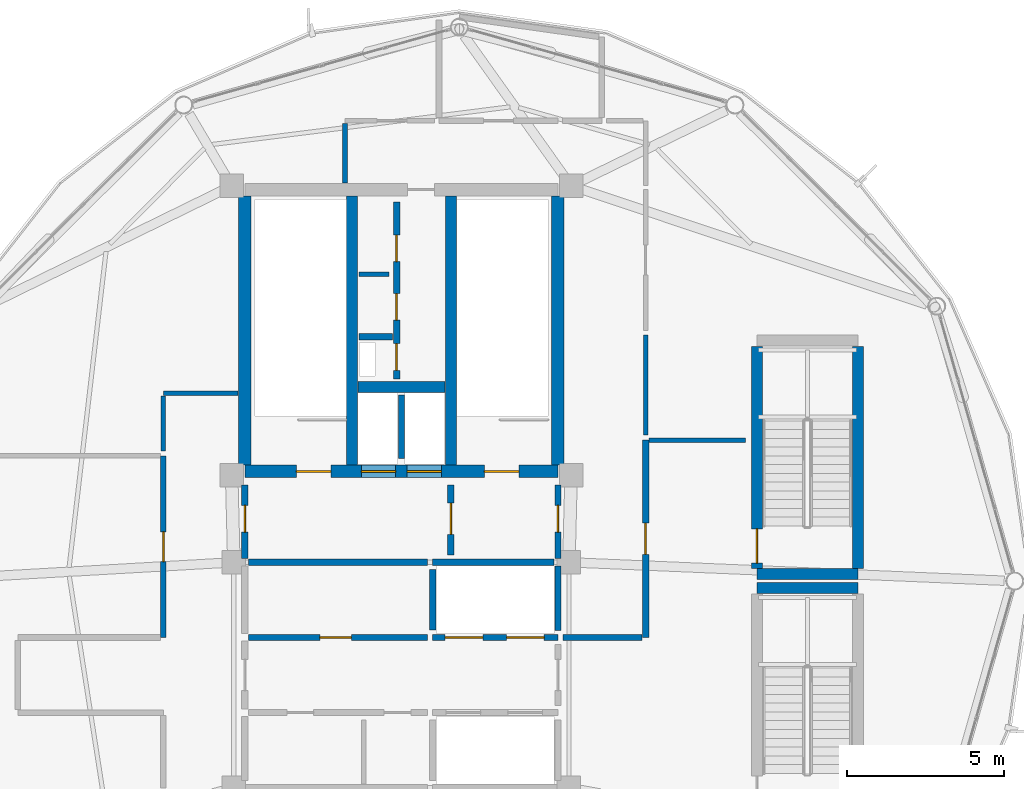
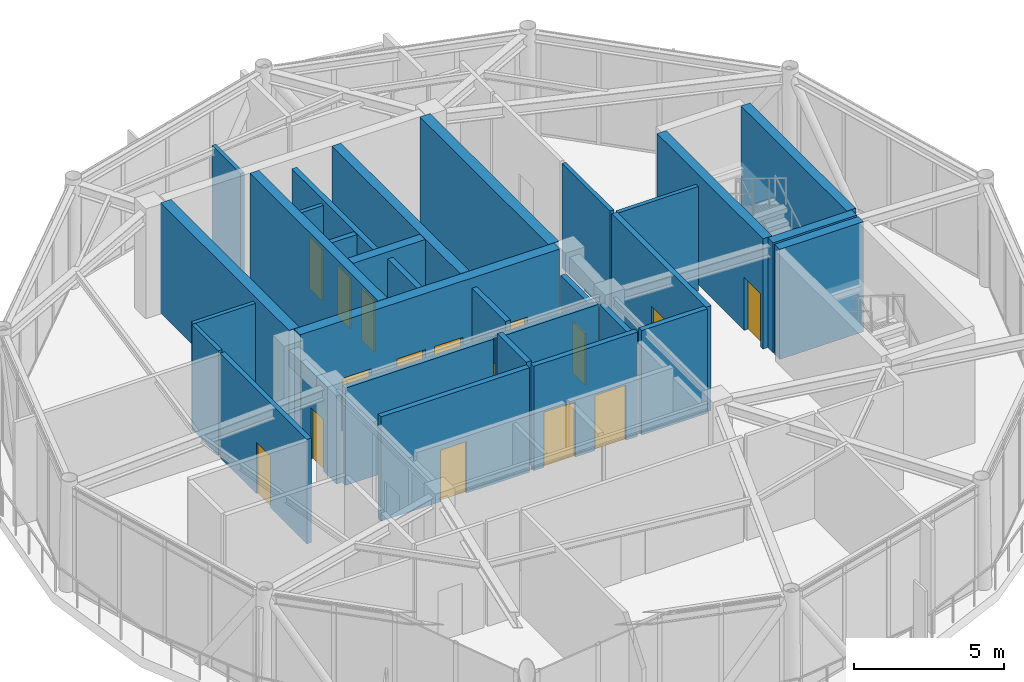
# One storey, part 22 of 26: 31 walls, 16 doors, 16 openings.
"""IFC4 building model written with IfcOpenShell, lengths in metres."""

from ifc_helpers import new_model, si_unit, direction, frame, frame_2d, origin, place, context, subcontext, project, spatial, rectangle, extrude, material, layer, layer_set, type_object, element, fill, save


model = new_model("IFC4")

# Units and contexts
model_context = context("Model", 3, precision=1e-05, world=origin(), true_north=direction((0.0, 1.0)))
body_context = subcontext(model_context, "Body", "Model", "MODEL_VIEW")
ifc_project = project(units=[si_unit("LENGTHUNIT", "METRE"), si_unit("AREAUNIT", "SQUARE_METRE"), si_unit("VOLUMEUNIT", "CUBIC_METRE"), si_unit("PLANEANGLEUNIT", "RADIAN"), si_unit("MASSUNIT", "GRAM", prefix="KILO")], contexts=[model_context])

# Site, building, storey
site_placement = place(None, origin())
site = spatial("IfcSite", under=ifc_project, at=site_placement, CompositionType="ELEMENT")
building_placement = place(site_placement, origin())
building = spatial("IfcBuilding", under=site, at=building_placement, Name="Varnakorn Sky Granary", CompositionType="ELEMENT")
storey_placement = place(building_placement, frame((0.0, 0.0, 289.5)))
storey = spatial("IfcBuildingStorey", under=building, at=storey_placement, Name="L74", CompositionType="ELEMENT", Elevation=289.5)

# Wall
ifc_material_1 = material(Name="Concrete C50/60", Category="concrete")
ifc_layer_1 = layer(ifc_material_1, 0.35009765625, Name="Concrete C50/60")
ifc_layer_set_1 = layer_set([ifc_layer_1], Name="Concrete C50/60")
wall_type_1 = type_object("IfcWallType", Name="WT-CW-INT-350", PredefinedType="SHEAR", material=ifc_layer_set_1)
wall_1_placement = place(storey_placement, frame((14.35009765625, 0.219970703125, 0.0), z_axis=(0.0, 0.0, 1.0), x_axis=(1.0, 0.0, 0.0)))
element("IfcWall", 1, at=wall_1_placement, inside=storey, type_object=wall_type_1, Name="Crown Stair STC1 South Wall L74", PredefinedType="SHEAR", context=body_context, shape_type="SweptSolid", body=[
    extrude(rectangle(XDim=3.22998046875, YDim=0.35009765625, at=frame_2d((1.614990234375, 0.0))), origin(), (0.0, 0.0, 1.0), 4.491943359375),
])

# Wall, opening, door
wall_2_placement = place(storey_placement, frame((14.35009765625, 0.409912109375, 0.0), z_axis=(0.0, 0.0, 1.0), x_axis=(0.0, 1.0, 0.0)))
wall_2 = element("IfcWall", 2, at=wall_2_placement, inside=storey, type_object=wall_type_1, Name="Crown Stair STC1 West Wall L74", PredefinedType="SHEAR", context=body_context, shape_type="SweptSolid", body=[
    extrude(rectangle(XDim=7.080078125, YDim=0.35009765625, at=frame_2d((3.5400390625, 0.0))), origin(), (0.0, 0.0, 1.0), 4.491943359375),
])
opening_1_placement = place(wall_2_placement, frame((0.159912109375, 0.0, 0.0)))
opening_1 = element("IfcOpeningElement", 3, at=opening_1_placement, cuts=wall_2, Name="Opening FD-90", PredefinedType="OPENING", context=body_context, shape_type="SweptSolid", body=[
    extrude(rectangle(XDim=1.10009765625, YDim=2.14990234375, at=frame_2d((0.550048828125, 1.074951171875))), frame((0.0, 0.18505859375, 0.0), z_axis=(0.0, -1.0, 0.0), x_axis=(1.0, 0.0, 0.0)), (0.0, 0.0, 1.0), 0.3701171875),
])
ifc_material_2 = material(Name="Galvanised Painted Steel Leaf", Category="steel")
door_type_1 = type_object("IfcDoorType", Name="DR-STAIR-1100", OperationType="NOTDEFINED", PredefinedType="DOOR", material=ifc_material_2)
door_1_placement = place(opening_1_placement, origin())
door_1 = element("IfcDoor", 4, at=door_1_placement, inside=storey, type_object=door_type_1, Name="Crown Stair STC1 Protected Fire Door L74", OperationType="SINGLE_SWING_LEFT", OverallHeight=2.14990234375, OverallWidth=1.10009765625, PredefinedType="DOOR", context=body_context, shape_type="SweptSolid", body=[
    extrude(rectangle(XDim=1.10009765625, YDim=2.14990234375, at=frame_2d((0.550048828125, 1.074951171875))), frame((0.0, 0.02490234375, 0.0), z_axis=(0.0, -1.0, 0.0), x_axis=(1.0, 0.0, 0.0)), (0.0, 0.0, 1.0), 0.050048828125),
])
fill(opening_1, door_1)

# Walls
wall_3_placement = place(storey_placement, frame((17.580078125, 0.409912109375, 0.0), z_axis=(0.0, 0.0, 1.0), x_axis=(0.0, 1.0, 0.0)))
element("IfcWall", 5, at=wall_3_placement, inside=storey, type_object=wall_type_1, Name="Crown Stair STC1 East Wall L74", PredefinedType="SHEAR", context=body_context, shape_type="SweptSolid", body=[
    extrude(rectangle(XDim=7.080078125, YDim=0.35009765625, at=frame_2d((3.5400390625, 0.0))), origin(), (0.0, 0.0, 1.0), 4.491943359375),
])
wall_4_placement = place(storey_placement, frame((14.35009765625, -0.219970703125, 0.0), z_axis=(0.0, 0.0, 1.0), x_axis=(1.0, 0.0, 0.0)))
element("IfcWall", 6, at=wall_4_placement, inside=storey, type_object=wall_type_1, Name="Crown Stair STC2 North Wall L74", PredefinedType="SHEAR", context=body_context, shape_type="SweptSolid", body=[
    extrude(rectangle(XDim=3.22998046875, YDim=0.35009765625, at=frame_2d((1.614990234375, 0.0))), origin(), (0.0, 0.0, 1.0), 4.491943359375),
])
for number, where, z_axis, x_axis, name in (
    (7, (1.419921875, 3.7099609375, 0.0), (0.0, 0.0, 1.0), (0.0, 1.0, 0.0), "Stair ST-1 Core Wall L74"),
    (8, (4.580078125, 3.7099609375, 0.0), (0.0, 0.0, 1.0), (0.0, 1.0, 0.0), "Stair ST-2 Core Wall L74"),
):
    element("IfcWall", number, at=place(storey_placement, frame(where, z_axis=z_axis, x_axis=x_axis)), inside=storey, type_object=wall_type_1, Name=name, PredefinedType="SHEAR", context=body_context, shape_type="SweptSolid", body=[
        extrude(rectangle(XDim=8.580078125, YDim=0.35009765625, at=frame_2d((4.2900390625, 0.0))), origin(), (0.0, 0.0, 1.0), 4.491943359375),
    ])
wall_5_placement = place(storey_placement, frame((1.610107421875, 6.199951171875, 0.0), z_axis=(0.0, 0.0, 1.0), x_axis=(1.0, 0.0, 0.0)))
element("IfcWall", 9, at=wall_5_placement, inside=storey, type_object=wall_type_1, Name="Core Lift Shaft Cross Wall L74", PredefinedType="SHEAR", context=body_context, shape_type="SweptSolid", body=[
    extrude(rectangle(XDim=2.77978515625, YDim=0.35009765625, at=frame_2d((1.389892578125, 0.0))), origin(), (0.0, 0.0, 1.0), 4.491943359375),
])

# Wall, openings, doors
ifc_layer_2 = layer(ifc_material_1, 0.39990234375, Name="Concrete C50/60")
ifc_layer_set_2 = layer_set([ifc_layer_2], Name="Concrete C50/60")
wall_type_2 = type_object("IfcWallType", Name="WT-CW-SHEAR-400", PredefinedType="SHEAR", material=ifc_layer_set_2)
wall_6_placement = place(storey_placement, frame((-2.0, 3.5, 0.0), z_axis=(0.0, 0.0, 1.0), x_axis=(1.0, 0.0, 0.0)))
wall_6 = element("IfcWall", 10, at=wall_6_placement, inside=storey, type_object=wall_type_2, Name="Core South Shear Wall L74", PredefinedType="SHEAR", context=body_context, shape_type="SweptSolid", body=[
    extrude(rectangle(XDim=10.0, YDim=0.39990234375, at=frame_2d((5.0, 0.0))), origin(), (0.0, 0.0, 1.0), 4.491943359375),
])
opening_2_placement = place(wall_6_placement, frame((1.64990234375, 0.0, 0.0)))
opening_2 = element("IfcOpeningElement", 11, at=opening_2_placement, cuts=wall_6, Name="Opening FD-90", PredefinedType="OPENING", context=body_context, shape_type="SweptSolid", body=[
    extrude(rectangle(XDim=1.10009765625, YDim=2.14990234375, at=frame_2d((0.550048828125, 1.074951171875))), frame((0.0, 0.2099609375, 0.0), z_axis=(0.0, -1.0, 0.0), x_axis=(1.0, 0.0, 0.0)), (0.0, 0.0, 1.0), 0.419921875),
])
opening_3_placement = place(wall_6_placement, frame((7.64990234375, 0.0, 0.0)))
opening_3 = element("IfcOpeningElement", 12, at=opening_3_placement, cuts=wall_6, Name="Opening FD-90", PredefinedType="OPENING", context=body_context, shape_type="SweptSolid", body=[
    extrude(rectangle(XDim=1.10009765625, YDim=2.14990234375, at=frame_2d((0.550048828125, 1.074951171875))), frame((0.0, 0.2099609375, 0.0), z_axis=(0.0, -1.0, 0.0), x_axis=(1.0, 0.0, 0.0)), (0.0, 0.0, 1.0), 0.419921875),
])
opening_4_placement = place(wall_6_placement, frame((3.719970703125, 0.0, 0.0)))
opening_4 = element("IfcOpeningElement", 13, at=opening_4_placement, cuts=wall_6, Name="Opening LD-01", PredefinedType="OPENING", context=body_context, shape_type="SweptSolid", body=[
    extrude(rectangle(XDim=1.10009765625, YDim=2.199951171875, at=frame_2d((0.550048828125, 1.10009765625))), frame((0.0, 0.2099609375, 0.0), z_axis=(0.0, -1.0, 0.0), x_axis=(1.0, 0.0, 0.0)), (0.0, 0.0, 1.0), 0.419921875),
])
opening_5_placement = place(wall_6_placement, frame((5.179931640625, 0.0, 0.0)))
opening_5 = element("IfcOpeningElement", 14, at=opening_5_placement, cuts=wall_6, Name="Opening LD-01", PredefinedType="OPENING", context=body_context, shape_type="SweptSolid", body=[
    extrude(rectangle(XDim=1.10009765625, YDim=2.199951171875, at=frame_2d((0.550048828125, 1.10009765625))), frame((0.0, 0.2099609375, 0.0), z_axis=(0.0, -1.0, 0.0), x_axis=(1.0, 0.0, 0.0)), (0.0, 0.0, 1.0), 0.419921875),
])
ifc_material_3 = material(Name="Brushed Bronze Stainless Steel", Category="steel")
door_type_2 = type_object("IfcDoorType", Name="DR-LD-1100", OperationType="DOUBLE_DOOR_SLIDING", PredefinedType="DOOR", material=ifc_material_3)
door_2_placement = place(opening_4_placement, origin())
door_2 = element("IfcDoor", 15, at=door_2_placement, inside=storey, type_object=door_type_2, Name="Firefighting Lift FFL-1 Landing Door L74", OperationType="DOUBLE_DOOR_SLIDING", OverallHeight=2.199951171875, OverallWidth=1.10009765625, PredefinedType="DOOR", context=body_context, shape_type="SweptSolid", body=[
    extrude(rectangle(XDim=1.10009765625, YDim=2.199951171875, at=frame_2d((0.550048828125, 1.10009765625))), frame((0.0, 0.02490234375, 0.0), z_axis=(0.0, -1.0, 0.0), x_axis=(1.0, 0.0, 0.0)), (0.0, 0.0, 1.0), 0.050048828125),
])
fill(opening_4, door_2)
door_3_placement = place(opening_5_placement, origin())
door_3 = element("IfcDoor", 16, at=door_3_placement, inside=storey, type_object=door_type_2, Name="Firefighting Lift FFL-2 Landing Door L74", OperationType="DOUBLE_DOOR_SLIDING", OverallHeight=2.199951171875, OverallWidth=1.10009765625, PredefinedType="DOOR", context=body_context, shape_type="SweptSolid", body=[
    extrude(rectangle(XDim=1.10009765625, YDim=2.199951171875, at=frame_2d((0.550048828125, 1.10009765625))), frame((0.0, 0.02490234375, 0.0), z_axis=(0.0, -1.0, 0.0), x_axis=(1.0, 0.0, 0.0)), (0.0, 0.0, 1.0), 0.050048828125),
])
fill(opening_5, door_3)
door_4_placement = place(opening_2_placement, origin())
door_4 = element("IfcDoor", 17, at=door_4_placement, inside=storey, type_object=door_type_1, Name="Stair ST-1 Protected Fire Door L74", OperationType="SINGLE_SWING_LEFT", OverallHeight=2.14990234375, OverallWidth=1.10009765625, PredefinedType="DOOR", context=body_context, shape_type="SweptSolid", body=[
    extrude(rectangle(XDim=1.10009765625, YDim=2.14990234375, at=frame_2d((0.550048828125, 1.074951171875))), frame((0.0, 0.02490234375, 0.0), z_axis=(0.0, -1.0, 0.0), x_axis=(1.0, 0.0, 0.0)), (0.0, 0.0, 1.0), 0.050048828125),
])
fill(opening_2, door_4)
door_5_placement = place(opening_3_placement, origin())
door_5 = element("IfcDoor", 18, at=door_5_placement, inside=storey, type_object=door_type_1, Name="Stair ST-2 Protected Fire Door L74", OperationType="SINGLE_SWING_RIGHT", OverallHeight=2.14990234375, OverallWidth=1.10009765625, PredefinedType="DOOR", context=body_context, shape_type="SweptSolid", body=[
    extrude(rectangle(XDim=1.10009765625, YDim=2.14990234375, at=frame_2d((0.550048828125, 1.074951171875))), frame((0.0, 0.02490234375, 0.0), z_axis=(0.0, -1.0, 0.0), x_axis=(1.0, 0.0, 0.0)), (0.0, 0.0, 1.0), 0.050048828125),
])
fill(opening_3, door_5)

# Walls
for number, where, z_axis, x_axis, name in (
    (19, (-2.0, 3.7099609375, 0.0), (0.0, 0.0, 1.0), (0.0, 1.0, 0.0), "Core West Shear Wall L74"),
    (20, (8.0, 3.7099609375, 0.0), (0.0, 0.0, 1.0), (0.0, 1.0, 0.0), "Core East Shear Wall L74"),
):
    element("IfcWall", number, at=place(storey_placement, frame(where, z_axis=z_axis, x_axis=x_axis)), inside=storey, type_object=wall_type_2, Name=name, PredefinedType="SHEAR", context=body_context, shape_type="SweptSolid", body=[
        extrude(rectangle(XDim=8.580078125, YDim=0.39990234375, at=frame_2d((4.2900390625, 0.0))), origin(), (0.0, 0.0, 1.0), 4.491943359375),
    ])

# Wall, openings, doors
ifc_material_4 = material(Name="Autoclaved Aerated Concrete Blockwork", Category="masonry")
ifc_layer_3 = layer(ifc_material_4, 0.199951171875, Name="Autoclaved Aerated Concrete Blockwork")
ifc_layer_set_3 = layer_set([ifc_layer_3], Name="Autoclaved Aerated Concrete Blockwork")
wall_type_3 = type_object("IfcWallType", Name="WT-FIRE-200", PredefinedType="MOVABLE", material=ifc_layer_set_3)
wall_7_placement = place(storey_placement, frame((2.85009765625, 6.449951171875, 0.0), z_axis=(0.0, 0.0, 1.0), x_axis=(0.0, 1.0, 0.0)))
wall_7 = element("IfcWall", 21, at=wall_7_placement, inside=storey, type_object=wall_type_3, Name="Interior Partition Wall L74-011", PredefinedType="MOVABLE", context=body_context, shape_type="SweptSolid", body=[
    extrude(rectangle(XDim=5.650146484375, YDim=0.199951171875, at=frame_2d((2.8251953125, 0.0))), origin(), (0.0, 0.0, 1.0), 4.260009765625),
])
opening_6_placement = place(wall_7_placement, frame((1.8798828125, 0.0, 0.0)))
opening_6 = element("IfcOpeningElement", 22, at=opening_6_placement, cuts=wall_7, Name="Opening RD-85", PredefinedType="OPENING", context=body_context, shape_type="SweptSolid", body=[
    extrude(rectangle(XDim=0.85009765625, YDim=2.050048828125, at=frame_2d((0.425048828125, 1.02490234375))), frame((0.0, 0.10986328125, 0.0), z_axis=(0.0, -1.0, 0.0), x_axis=(1.0, 0.0, 0.0)), (0.0, 0.0, 1.0), 0.219970703125),
])
opening_7_placement = place(wall_7_placement, frame((3.75, 0.0, 0.0)))
opening_7 = element("IfcOpeningElement", 23, at=opening_7_placement, cuts=wall_7, Name="Opening FD-60N", PredefinedType="OPENING", context=body_context, shape_type="SweptSolid", body=[
    extrude(rectangle(XDim=0.85009765625, YDim=2.10009765625, at=frame_2d((0.425048828125, 1.050048828125))), frame((0.0, 0.10986328125, 0.0), z_axis=(0.0, -1.0, 0.0), x_axis=(1.0, 0.0, 0.0)), (0.0, 0.0, 1.0), 0.219970703125),
])
opening_8_placement = place(wall_7_placement, frame((0.280029296875, 0.0, 0.0)))
opening_8 = element("IfcOpeningElement", 24, at=opening_8_placement, cuts=wall_7, Name="Opening FD-60N", PredefinedType="OPENING", context=body_context, shape_type="SweptSolid", body=[
    extrude(rectangle(XDim=0.85009765625, YDim=2.10009765625, at=frame_2d((0.425048828125, 1.050048828125))), frame((0.0, 0.10986328125, 0.0), z_axis=(0.0, -1.0, 0.0), x_axis=(1.0, 0.0, 0.0)), (0.0, 0.0, 1.0), 0.219970703125),
])
ifc_material_5 = material(Name="Acoustic Timber Fire Leaf", Category="wood")
door_type_3 = type_object("IfcDoorType", Name="DR-FD60-850", OperationType="NOTDEFINED", PredefinedType="DOOR", material=ifc_material_5)
door_6_placement = place(opening_7_placement, origin())
door_6 = element("IfcDoor", 25, at=door_6_placement, inside=storey, type_object=door_type_3, Name="Interior Door L74-011-2", OperationType="SINGLE_SWING_LEFT", OverallHeight=2.10009765625, OverallWidth=0.85009765625, PredefinedType="DOOR", context=body_context, shape_type="SweptSolid", body=[
    extrude(rectangle(XDim=0.85009765625, YDim=2.10009765625, at=frame_2d((0.425048828125, 1.050048828125))), frame((0.0, 0.02490234375, 0.0), z_axis=(0.0, -1.0, 0.0), x_axis=(1.0, 0.0, 0.0)), (0.0, 0.0, 1.0), 0.050048828125),
])
fill(opening_7, door_6)
door_7_placement = place(opening_8_placement, origin())
door_7 = element("IfcDoor", 26, at=door_7_placement, inside=storey, type_object=door_type_3, Name="Interior Door L74-011-3", OperationType="SINGLE_SWING_RIGHT", OverallHeight=2.10009765625, OverallWidth=0.85009765625, PredefinedType="DOOR", context=body_context, shape_type="SweptSolid", body=[
    extrude(rectangle(XDim=0.85009765625, YDim=2.10009765625, at=frame_2d((0.425048828125, 1.050048828125))), frame((0.0, 0.02490234375, 0.0), z_axis=(0.0, -1.0, 0.0), x_axis=(1.0, 0.0, 0.0)), (0.0, 0.0, 1.0), 0.050048828125),
])
fill(opening_8, door_7)
door_type_4 = type_object("IfcDoorType", Name="DR-RIS-850", OperationType="NOTDEFINED", PredefinedType="DOOR", material=ifc_material_2)
door_8_placement = place(opening_6_placement, origin())
door_8 = element("IfcDoor", 27, at=door_8_placement, inside=storey, type_object=door_type_4, Name="MEP Riser Shaft Access Door L74-011-1", OperationType="SINGLE_SWING_RIGHT", OverallHeight=2.050048828125, OverallWidth=0.85009765625, PredefinedType="DOOR", context=body_context, shape_type="SweptSolid", body=[
    extrude(rectangle(XDim=0.85009765625, YDim=2.050048828125, at=frame_2d((0.425048828125, 1.02490234375))), frame((0.0, 0.02490234375, 0.0), z_axis=(0.0, -1.0, 0.0), x_axis=(1.0, 0.0, 0.0)), (0.0, 0.0, 1.0), 0.050048828125),
])
fill(opening_6, door_8)

# Wall, opening, door
wall_8_placement = place(storey_placement, frame((4.580078125, 0.830078125, 0.0), z_axis=(0.0, 0.0, 1.0), x_axis=(0.0, 1.0, 0.0)))
wall_8 = element("IfcWall", 28, at=wall_8_placement, inside=storey, type_object=wall_type_3, Name="Interior Partition Wall L74-012", PredefinedType="MOVABLE", context=body_context, shape_type="SweptSolid", body=[
    extrude(rectangle(XDim=2.239990234375, YDim=0.199951171875, at=frame_2d((1.1201171875, 0.0))), origin(), (0.0, 0.0, 1.0), 4.260009765625),
])
opening_9_placement = place(wall_8_placement, frame((0.659912109375, 0.0, 0.0)))
opening_9 = element("IfcOpeningElement", 29, at=opening_9_placement, cuts=wall_8, Name="Opening FD-60", PredefinedType="OPENING", context=body_context, shape_type="SweptSolid", body=[
    extrude(rectangle(XDim=1.0, YDim=2.10009765625, at=frame_2d((0.5, 1.050048828125))), frame((0.0, 0.10986328125, 0.0), z_axis=(0.0, -1.0, 0.0), x_axis=(1.0, 0.0, 0.0)), (0.0, 0.0, 1.0), 0.219970703125),
])
door_type_5 = type_object("IfcDoorType", Name="DR-FD60-1000", OperationType="NOTDEFINED", PredefinedType="DOOR", material=ifc_material_5)
door_9_placement = place(opening_9_placement, origin())
door_9 = element("IfcDoor", 30, at=door_9_placement, inside=storey, type_object=door_type_5, Name="Interior Door L74-012-1", OperationType="SINGLE_SWING_LEFT", OverallHeight=2.10009765625, OverallWidth=1.0, PredefinedType="DOOR", context=body_context, shape_type="SweptSolid", body=[
    extrude(rectangle(XDim=1.0, YDim=2.10009765625, at=frame_2d((0.5, 1.050048828125))), frame((0.0, 0.02490234375, 0.0), z_axis=(0.0, -1.0, 0.0), x_axis=(1.0, 0.0, 0.0)), (0.0, 0.0, 1.0), 0.050048828125),
])
fill(opening_9, door_9)

wall_9_placement = place(storey_placement, frame((-2.0, 0.719970703125, 0.0), z_axis=(0.0, 0.0, 1.0), x_axis=(0.0, 1.0, 0.0)))
wall_9 = element("IfcWall", 31, at=wall_9_placement, inside=storey, type_object=wall_type_3, Name="Interior Partition Wall L74-013", PredefinedType="MOVABLE", context=body_context, shape_type="SweptSolid", body=[
    extrude(rectangle(XDim=2.35009765625, YDim=0.199951171875, at=frame_2d((1.175048828125, 0.0))), origin(), (0.0, 0.0, 1.0), 3.592041015625),
])
opening_10_placement = place(wall_9_placement, frame((0.844970703125, 0.0, 0.0)))
opening_10 = element("IfcOpeningElement", 32, at=opening_10_placement, cuts=wall_9, Name="Opening FD-60N", PredefinedType="OPENING", context=body_context, shape_type="SweptSolid", body=[
    extrude(rectangle(XDim=0.85009765625, YDim=2.10009765625, at=frame_2d((0.425048828125, 1.050048828125))), frame((0.0, 0.10986328125, 0.0), z_axis=(0.0, -1.0, 0.0), x_axis=(1.0, 0.0, 0.0)), (0.0, 0.0, 1.0), 0.219970703125),
])
door_10_placement = place(opening_10_placement, origin())
door_10 = element("IfcDoor", 33, at=door_10_placement, inside=storey, type_object=door_type_3, Name="Interior Door L74-013-1", OperationType="SINGLE_SWING_RIGHT", OverallHeight=2.10009765625, OverallWidth=0.85009765625, PredefinedType="DOOR", context=body_context, shape_type="SweptSolid", body=[
    extrude(rectangle(XDim=0.85009765625, YDim=2.10009765625, at=frame_2d((0.425048828125, 1.050048828125))), frame((0.0, 0.02490234375, 0.0), z_axis=(0.0, -1.0, 0.0), x_axis=(1.0, 0.0, 0.0)), (0.0, 0.0, 1.0), 0.050048828125),
])
fill(opening_10, door_10)

wall_10_placement = place(storey_placement, frame((8.0, 0.719970703125, 0.0), z_axis=(0.0, 0.0, 1.0), x_axis=(0.0, 1.0, 0.0)))
wall_10 = element("IfcWall", 34, at=wall_10_placement, inside=storey, type_object=wall_type_3, Name="Interior Partition Wall L74-014", PredefinedType="MOVABLE", context=body_context, shape_type="SweptSolid", body=[
    extrude(rectangle(XDim=2.35009765625, YDim=0.199951171875, at=frame_2d((1.175048828125, 0.0))), origin(), (0.0, 0.0, 1.0), 3.592041015625),
])
opening_11_placement = place(wall_10_placement, frame((0.844970703125, 0.0, 0.0)))
opening_11 = element("IfcOpeningElement", 35, at=opening_11_placement, cuts=wall_10, Name="Opening FD-60N", PredefinedType="OPENING", context=body_context, shape_type="SweptSolid", body=[
    extrude(rectangle(XDim=0.85009765625, YDim=2.10009765625, at=frame_2d((0.425048828125, 1.050048828125))), frame((0.0, 0.10986328125, 0.0), z_axis=(0.0, -1.0, 0.0), x_axis=(1.0, 0.0, 0.0)), (0.0, 0.0, 1.0), 0.219970703125),
])
door_11_placement = place(opening_11_placement, origin())
door_11 = element("IfcDoor", 36, at=door_11_placement, inside=storey, type_object=door_type_3, Name="Interior Door L74-014-1", OperationType="SINGLE_SWING_LEFT", OverallHeight=2.10009765625, OverallWidth=0.85009765625, PredefinedType="DOOR", context=body_context, shape_type="SweptSolid", body=[
    extrude(rectangle(XDim=0.85009765625, YDim=2.10009765625, at=frame_2d((0.425048828125, 1.050048828125))), frame((0.0, 0.02490234375, 0.0), z_axis=(0.0, -1.0, 0.0), x_axis=(1.0, 0.0, 0.0)), (0.0, 0.0, 1.0), 0.050048828125),
])
fill(opening_11, door_11)

wall_11_placement = place(storey_placement, frame((-1.889892578125, -1.800048828125, 0.0), z_axis=(0.0, 0.0, 1.0), x_axis=(1.0, 0.0, 0.0)))
wall_11 = element("IfcWall", 37, at=wall_11_placement, inside=storey, type_object=wall_type_3, Name="Interior Partition Wall L74-017", PredefinedType="MOVABLE", context=body_context, shape_type="SweptSolid", body=[
    extrude(rectangle(XDim=5.72998046875, YDim=0.199951171875, at=frame_2d((2.864990234375, 0.0))), origin(), (0.0, 0.0, 1.0), 4.260009765625),
])
opening_12_placement = place(wall_11_placement, frame((2.2900390625, 0.0, 0.0)))
opening_12 = element("IfcOpeningElement", 38, at=opening_12_placement, cuts=wall_11, Name="Opening FD-60", PredefinedType="OPENING", context=body_context, shape_type="SweptSolid", body=[
    extrude(rectangle(XDim=1.0, YDim=2.10009765625, at=frame_2d((0.5, 1.050048828125))), frame((0.0, 0.10986328125, 0.0), z_axis=(0.0, -1.0, 0.0), x_axis=(1.0, 0.0, 0.0)), (0.0, 0.0, 1.0), 0.219970703125),
])
door_12_placement = place(opening_12_placement, origin())
door_12 = element("IfcDoor", 39, at=door_12_placement, inside=storey, type_object=door_type_5, Name="Interior Door L74-017-1", OperationType="SINGLE_SWING_RIGHT", OverallHeight=2.10009765625, OverallWidth=1.0, PredefinedType="DOOR", context=body_context, shape_type="SweptSolid", body=[
    extrude(rectangle(XDim=1.0, YDim=2.10009765625, at=frame_2d((0.5, 1.050048828125))), frame((0.0, 0.02490234375, 0.0), z_axis=(0.0, -1.0, 0.0), x_axis=(1.0, 0.0, 0.0)), (0.0, 0.0, 1.0), 0.050048828125),
])
fill(opening_12, door_12)

wall_12_placement = place(storey_placement, frame((10.800048828125, -1.800048828125, 0.0), z_axis=(0.0, 0.0, 1.0), x_axis=(0.0, 1.0, 0.0)))
wall_12 = element("IfcWall", 40, at=wall_12_placement, inside=storey, type_object=wall_type_3, Name="Interior Partition Wall L74-019", PredefinedType="MOVABLE", context=body_context, shape_type="SweptSolid", body=[
    extrude(rectangle(XDim=6.300048828125, YDim=0.199951171875, at=frame_2d((3.14990234375, 0.0))), origin(), (0.0, 0.0, 1.0), 4.260009765625),
])
opening_13_placement = place(wall_12_placement, frame((2.64990234375, 0.0, 0.0)))
opening_13 = element("IfcOpeningElement", 41, at=opening_13_placement, cuts=wall_12, Name="Opening FD-60", PredefinedType="OPENING", context=body_context, shape_type="SweptSolid", body=[
    extrude(rectangle(XDim=1.0, YDim=2.10009765625, at=frame_2d((0.5, 1.050048828125))), frame((0.0, 0.10986328125, 0.0), z_axis=(0.0, -1.0, 0.0), x_axis=(1.0, 0.0, 0.0)), (0.0, 0.0, 1.0), 0.219970703125),
])
door_13_placement = place(opening_13_placement, origin())
door_13 = element("IfcDoor", 42, at=door_13_placement, inside=storey, type_object=door_type_5, Name="Interior Door L74-019-1", OperationType="SINGLE_SWING_LEFT", OverallHeight=2.10009765625, OverallWidth=1.0, PredefinedType="DOOR", context=body_context, shape_type="SweptSolid", body=[
    extrude(rectangle(XDim=1.0, YDim=2.10009765625, at=frame_2d((0.5, 1.050048828125))), frame((0.0, 0.02490234375, 0.0), z_axis=(0.0, -1.0, 0.0), x_axis=(1.0, 0.0, 0.0)), (0.0, 0.0, 1.0), 0.050048828125),
])
fill(opening_13, door_13)

# Walls
wall_13_placement = place(storey_placement, frame((-1.8798828125, 0.60009765625, 0.0), z_axis=(0.0, 0.0, 1.0), x_axis=(1.0, 0.0, 0.0)))
element("IfcWall", 43, at=wall_13_placement, inside=storey, type_object=wall_type_3, Name="Interior Partition Wall L74-027", PredefinedType="MOVABLE", context=body_context, shape_type="SweptSolid", body=[
    extrude(rectangle(XDim=5.719970703125, YDim=0.199951171875, at=frame_2d((2.85986328125, 0.0))), origin(), (0.0, 0.0, 1.0), 3.971923828125),
])
wall_14_placement = place(storey_placement, frame((8.159912109375, -1.800048828125, 0.0), z_axis=(0.0, 0.0, 1.0), x_axis=(1.0, 0.0, 0.0)))
element("IfcWall", 44, at=wall_14_placement, inside=storey, type_object=wall_type_3, Name="Interior Partition Wall L74-032", PredefinedType="MOVABLE", context=body_context, shape_type="SweptSolid", body=[
    extrude(rectangle(XDim=2.530029296875, YDim=0.199951171875, at=frame_2d((1.26513671875, 0.0))), origin(), (0.0, 0.0, 1.0), 4.260009765625),
])
ifc_material_6 = material(Name="Gypsum Plasterboard on Steel Stud", Category="steel")
ifc_layer_4 = layer(ifc_material_6, 0.14990234375, Name="Gypsum Plasterboard on Steel Stud")
ifc_layer_set_4 = layer_set([ifc_layer_4], Name="Gypsum Plasterboard on Steel Stud")
wall_type_4 = type_object("IfcWallType", Name="WT-PART-150", PredefinedType="PARTITIONING", material=ifc_layer_set_4)
wall_15_placement = place(storey_placement, frame((1.64990234375, 9.800048828125, 0.0), z_axis=(0.0, 0.0, 1.0), x_axis=(1.0, 0.0, 0.0)))
element("IfcWall", 45, at=wall_15_placement, inside=storey, type_object=wall_type_4, Name="Interior Partition Wall L74-026", PredefinedType="PARTITIONING", context=body_context, shape_type="SweptSolid", body=[
    extrude(rectangle(XDim=0.960205078125, YDim=0.14990234375, at=frame_2d((0.47998046875, 0.0))), origin(), (0.0, 0.0, 1.0), 4.260009765625),
])
wall_16_placement = place(storey_placement, frame((1.199951171875, 14.614990234375, 0.0), z_axis=(0.0, 0.0, 1.0), x_axis=(0.0, -1.0, 0.0)))
element("IfcWall", 46, at=wall_16_placement, inside=storey, type_object=wall_type_4, Name="Interior Partition Wall L74-045", PredefinedType="PARTITIONING", context=body_context, shape_type="SweptSolid", body=[
    extrude(rectangle(XDim=1.905029296875, YDim=0.14990234375, at=frame_2d((0.95263671875, 0.0))), origin(), (0.0, 0.0, 1.0), 4.260009765625),
])
wall_17_placement = place(storey_placement, frame((-2.2099609375, 6.0, 0.0), z_axis=(0.0, 0.0, 1.0), x_axis=(-1.0, 0.0, 0.0)))
element("IfcWall", 47, at=wall_17_placement, inside=storey, type_object=wall_type_4, Name="Interior Partition Wall L74-046", PredefinedType="PARTITIONING", context=body_context, shape_type="SweptSolid", body=[
    extrude(rectangle(XDim=2.39013671875, YDim=0.14990234375, at=frame_2d((1.195068359375, 0.0))), origin(), (0.0, 0.0, 1.0), 4.260009765625),
])
wall_18_placement = place(storey_placement, frame((-4.60009765625, 5.9150390625, 0.0), z_axis=(0.0, 0.0, 1.0), x_axis=(0.0, -1.0, 0.0)))
element("IfcWall", 48, at=wall_18_placement, inside=storey, type_object=wall_type_4, Name="Interior Partition Wall L74-047", PredefinedType="PARTITIONING", context=body_context, shape_type="SweptSolid", body=[
    extrude(rectangle(XDim=1.76513671875, YDim=0.14990234375, at=frame_2d((0.882568359375, 0.0))), origin(), (0.0, 0.0, 1.0), 4.260009765625),
])
wall_19_placement = place(storey_placement, frame((10.800048828125, 4.659912109375, 0.0), z_axis=(0.0, 0.0, 1.0), x_axis=(0.0, 1.0, 0.0)))
element("IfcWall", 49, at=wall_19_placement, inside=storey, type_object=wall_type_4, Name="Interior Partition Wall L74-049", PredefinedType="PARTITIONING", context=body_context, shape_type="SweptSolid", body=[
    extrude(rectangle(XDim=3.205078125, YDim=0.14990234375, at=frame_2d((1.6025390625, 0.0))), origin(), (0.0, 0.0, 1.0), 4.260009765625),
])
wall_20_placement = place(storey_placement, frame((13.9951171875, 4.5, 0.0), z_axis=(0.0, 0.0, 1.0), x_axis=(-1.0, 0.0, 0.0)))
element("IfcWall", 50, at=wall_20_placement, inside=storey, type_object=wall_type_4, Name="Interior Partition Wall L74-054", PredefinedType="PARTITIONING", context=body_context, shape_type="SweptSolid", body=[
    extrude(rectangle(XDim=3.085205078125, YDim=0.14990234375, at=frame_2d((1.54248046875, 0.0))), origin(), (0.0, 0.0, 1.0), 4.260009765625),
])

# Wall, opening, door
ifc_material_7 = material(Name="Moisture-Resistant Gypsum on Stud", Category="gypsum")
ifc_layer_5 = layer(ifc_material_7, 0.179931640625, Name="Moisture-Resistant Gypsum on Stud")
ifc_layer_set_5 = layer_set([ifc_layer_5], Name="Moisture-Resistant Gypsum on Stud")
wall_type_5 = type_object("IfcWallType", Name="WT-PLUMB-180", PredefinedType="PLUMBINGWALL", material=ifc_layer_set_5)
wall_21_placement = place(storey_placement, frame((-4.60009765625, 4.0, 0.0), z_axis=(0.0, 0.0, 1.0), x_axis=(0.0, -1.0, 0.0)))
wall_21 = element("IfcWall", 51, at=wall_21_placement, inside=storey, type_object=wall_type_5, Name="Interior Partition Wall L74-023", PredefinedType="PLUMBINGWALL", context=body_context, shape_type="SweptSolid", body=[
    extrude(rectangle(XDim=5.800048828125, YDim=0.179931640625, at=frame_2d((2.89990234375, 0.0))), origin(), (0.0, 0.0, 1.0), 4.260009765625),
])
opening_14_placement = place(wall_21_placement, frame((2.425048828125, 0.0, 0.0)))
opening_14 = element("IfcOpeningElement", 52, at=opening_14_placement, cuts=wall_21, Name="Opening ID-95", PredefinedType="OPENING", context=body_context, shape_type="SweptSolid", body=[
    extrude(rectangle(XDim=0.949951171875, YDim=2.10009765625, at=frame_2d((0.47509765625, 1.050048828125))), frame((0.0, 0.10009765625, 0.0), z_axis=(0.0, -1.0, 0.0), x_axis=(1.0, 0.0, 0.0)), (0.0, 0.0, 1.0), 0.199951171875),
])
ifc_material_8 = material(Name="Solid-Core Teak Veneer Leaf", Category="timber")
door_type_6 = type_object("IfcDoorType", Name="DR-INT-950", OperationType="NOTDEFINED", PredefinedType="DOOR", material=ifc_material_8)
door_14_placement = place(opening_14_placement, origin())
door_14 = element("IfcDoor", 53, at=door_14_placement, inside=storey, type_object=door_type_6, Name="Interior Door L74-023-1", OperationType="SINGLE_SWING_LEFT", OverallHeight=2.10009765625, OverallWidth=0.949951171875, PredefinedType="DOOR", context=body_context, shape_type="SweptSolid", body=[
    extrude(rectangle(XDim=0.949951171875, YDim=2.10009765625, at=frame_2d((0.47509765625, 1.050048828125))), frame((0.0, 0.02490234375, 0.0), z_axis=(0.0, -1.0, 0.0), x_axis=(1.0, 0.0, 0.0)), (0.0, 0.0, 1.0), 0.050048828125),
])
fill(opening_14, door_14)

# Walls
ifc_layer_6 = layer(ifc_material_4, 0.199951171875, Name="Autoclaved Aerated Concrete Blockwork")
ifc_layer_set_6 = layer_set([ifc_layer_6], Name="Autoclaved Aerated Concrete Blockwork")
wall_type_6 = type_object("IfcWallType", Name="WT-SHAFT-200", PredefinedType="SOLIDWALL", material=ifc_layer_set_6)
wall_22_placement = place(storey_placement, frame((3.0, 3.919921875, 0.0), z_axis=(0.0, 0.0, 1.0), x_axis=(0.0, 1.0, 0.0)))
element("IfcWall", 54, at=wall_22_placement, inside=storey, type_object=wall_type_6, Name="Interior Partition Wall L74-001", PredefinedType="SOLIDWALL", context=body_context, shape_type="SweptSolid", body=[
    extrude(rectangle(XDim=2.030029296875, YDim=0.199951171875, at=frame_2d((1.01513671875, 0.0))), origin(), (0.0, 0.0, 1.0), 4.260009765625),
])
wall_23_placement = place(storey_placement, frame((1.64990234375, 7.800048828125, 0.0), z_axis=(0.0, 0.0, 1.0), x_axis=(1.0, 0.0, 0.0)))
element("IfcWall", 55, at=wall_23_placement, inside=storey, type_object=wall_type_6, Name="Interior Partition Wall L74-002", PredefinedType="SOLIDWALL", context=body_context, shape_type="SweptSolid", body=[
    extrude(rectangle(XDim=1.070068359375, YDim=0.199951171875, at=frame_2d((0.53515625, 0.0))), origin(), (0.0, 0.0, 1.0), 4.260009765625),
])
wall_24_placement = place(storey_placement, frame((4.0, 0.60009765625, 0.0), z_axis=(0.0, 0.0, 1.0), x_axis=(1.0, 0.0, 0.0)))
element("IfcWall", 56, at=wall_24_placement, inside=storey, type_object=wall_type_6, Name="Interior Partition Wall L74-003", PredefinedType="SOLIDWALL", context=body_context, shape_type="SweptSolid", body=[
    extrude(rectangle(XDim=3.8798828125, YDim=0.199951171875, at=frame_2d((1.93994140625, 0.0))), origin(), (0.0, 0.0, 1.0), 3.971923828125),
])

# Wall, openings, doors
wall_25_placement = place(storey_placement, frame((4.0, -1.800048828125, 0.0), z_axis=(0.0, 0.0, 1.0), x_axis=(1.0, 0.0, 0.0)))
wall_25 = element("IfcWall", 57, at=wall_25_placement, inside=storey, type_object=wall_type_6, Name="Interior Partition Wall L74-004", PredefinedType="SOLIDWALL", context=body_context, shape_type="SweptSolid", body=[
    extrude(rectangle(XDim=4.0, YDim=0.199951171875, at=frame_2d((2.0, 0.0))), origin(), (0.0, 0.0, 1.0), 4.260009765625),
])
opening_15_placement = place(wall_25_placement, frame((0.39990234375, 0.0, 0.0)))
opening_15 = element("IfcOpeningElement", 58, at=opening_15_placement, cuts=wall_25, Name="Opening LD-02", PredefinedType="OPENING", context=body_context, shape_type="SweptSolid", body=[
    extrude(rectangle(XDim=1.199951171875, YDim=2.25, at=frame_2d((0.60009765625, 1.125))), frame((0.0, 0.10986328125, 0.0), z_axis=(0.0, -1.0, 0.0), x_axis=(1.0, 0.0, 0.0)), (0.0, 0.0, 1.0), 0.219970703125),
])
opening_16_placement = place(wall_25_placement, frame((2.360107421875, 0.0, 0.0)))
opening_16 = element("IfcOpeningElement", 59, at=opening_16_placement, cuts=wall_25, Name="Opening LD-02", PredefinedType="OPENING", context=body_context, shape_type="SweptSolid", body=[
    extrude(rectangle(XDim=1.199951171875, YDim=2.25, at=frame_2d((0.60009765625, 1.125))), frame((0.0, 0.10986328125, 0.0), z_axis=(0.0, -1.0, 0.0), x_axis=(1.0, 0.0, 0.0)), (0.0, 0.0, 1.0), 0.219970703125),
])
door_type_7 = type_object("IfcDoorType", Name="DR-LD-1200", OperationType="DOUBLE_DOOR_SLIDING", PredefinedType="DOOR", material=ifc_material_3)
door_15_placement = place(opening_15_placement, origin())
door_15 = element("IfcDoor", 60, at=door_15_placement, inside=storey, type_object=door_type_7, Name="Passenger Lift EL-OBS1 Sliding Landing Door L74", OperationType="DOUBLE_DOOR_SLIDING", OverallHeight=2.25, OverallWidth=1.199951171875, PredefinedType="DOOR", context=body_context, shape_type="SweptSolid", body=[
    extrude(rectangle(XDim=1.199951171875, YDim=2.25, at=frame_2d((0.60009765625, 1.125))), frame((0.0, 0.02490234375, 0.0), z_axis=(0.0, -1.0, 0.0), x_axis=(1.0, 0.0, 0.0)), (0.0, 0.0, 1.0), 0.050048828125),
])
fill(opening_15, door_15)
door_16_placement = place(opening_16_placement, origin())
door_16 = element("IfcDoor", 61, at=door_16_placement, inside=storey, type_object=door_type_7, Name="Passenger Lift EL-OBS2 Sliding Landing Door L74", OperationType="DOUBLE_DOOR_SLIDING", OverallHeight=2.25, OverallWidth=1.199951171875, PredefinedType="DOOR", context=body_context, shape_type="SweptSolid", body=[
    extrude(rectangle(XDim=1.199951171875, YDim=2.25, at=frame_2d((0.60009765625, 1.125))), frame((0.0, 0.02490234375, 0.0), z_axis=(0.0, -1.0, 0.0), x_axis=(1.0, 0.0, 0.0)), (0.0, 0.0, 1.0), 0.050048828125),
])
fill(opening_16, door_16)

# Walls
wall_26_placement = place(storey_placement, frame((4.0, -1.570068359375, 0.0), z_axis=(0.0, 0.0, 1.0), x_axis=(0.0, 1.0, 0.0)))
element("IfcWall", 62, at=wall_26_placement, inside=storey, type_object=wall_type_6, Name="Interior Partition Wall L74-005", PredefinedType="SOLIDWALL", context=body_context, shape_type="SweptSolid", body=[
    extrude(rectangle(XDim=1.940185546875, YDim=0.199951171875, at=frame_2d((0.97021484375, 0.0))), origin(), (0.0, 0.0, 1.0), 4.260009765625),
])
wall_27_placement = place(storey_placement, frame((8.0, -1.570068359375, 0.0), z_axis=(0.0, 0.0, 1.0), x_axis=(0.0, 1.0, 0.0)))
element("IfcWall", 63, at=wall_27_placement, inside=storey, type_object=wall_type_6, Name="Interior Partition Wall L74-006", PredefinedType="SOLIDWALL", context=body_context, shape_type="SweptSolid", body=[
    extrude(rectangle(XDim=2.050048828125, YDim=0.199951171875, at=frame_2d((1.02490234375, 0.0))), origin(), (0.0, 0.0, 1.0), 3.971923828125),
])

save(model, "model.ifc")
